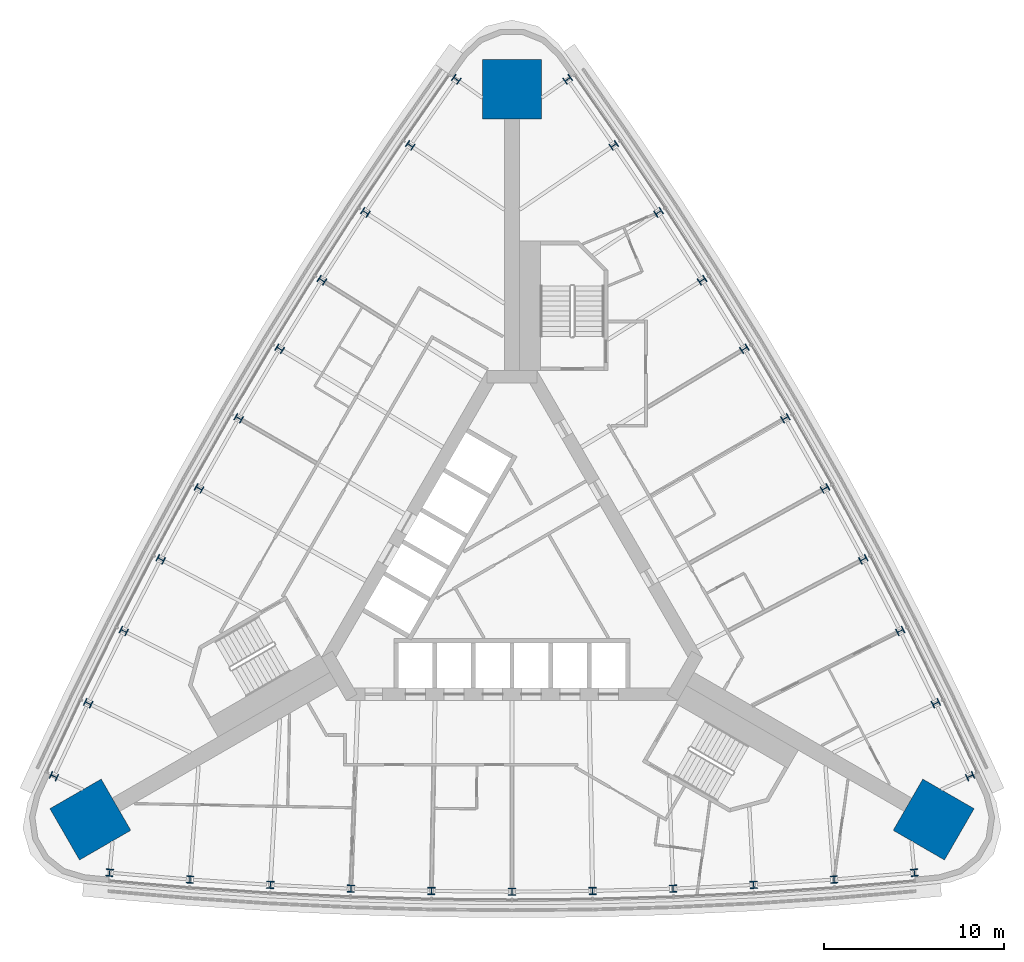
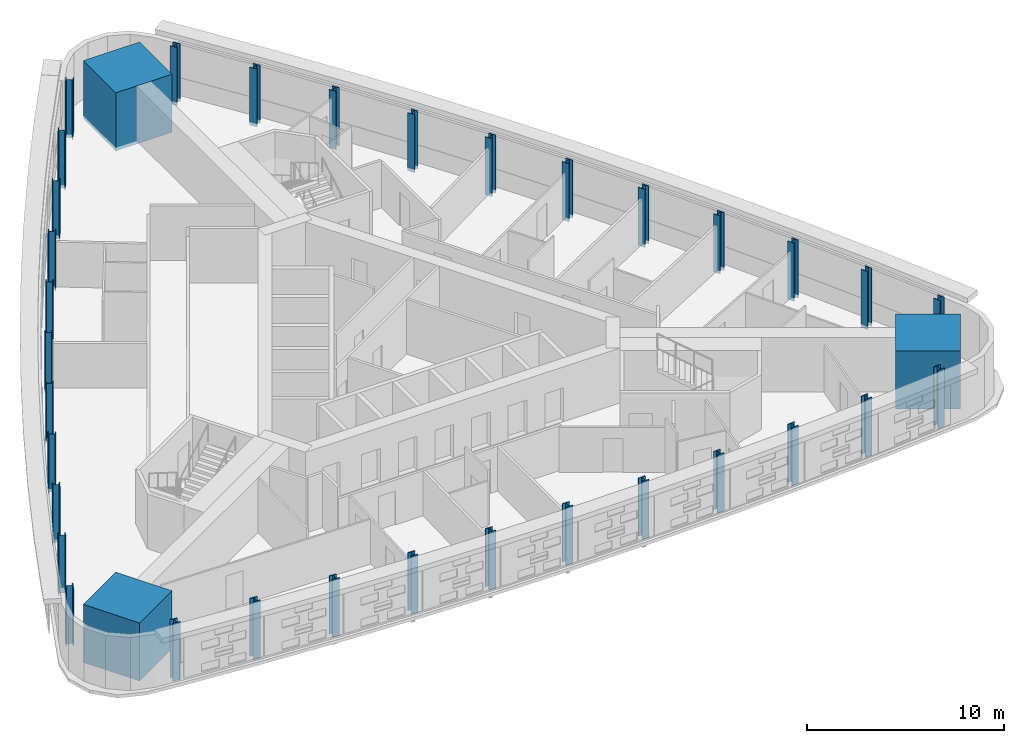
# One storey, part 1 of 15: 36 columns.
"""IFC4 building model written with IfcOpenShell, lengths in metres."""

from ifc_helpers import new_model, si_unit, direction, frame, origin, origin_2d, place, context, subcontext, project, spatial, rectangle, i_section, extrude, material, material_profile, profile_set, type_object, element, save


model = new_model("IFC4")

# Units and contexts
model_context = context("Model", 3, precision=1e-05, world=origin(), true_north=direction((0.0, 1.0)))
body_context = subcontext(model_context, "Body", "Model", "MODEL_VIEW")
ifc_project = project(units=[si_unit("LENGTHUNIT", "METRE"), si_unit("AREAUNIT", "SQUARE_METRE"), si_unit("VOLUMEUNIT", "CUBIC_METRE"), si_unit("PLANEANGLEUNIT", "RADIAN"), si_unit("MASSUNIT", "GRAM", prefix="KILO")], contexts=[model_context])

# Site, building, storey
site_placement = place(None, origin())
site = spatial("IfcSite", under=ifc_project, at=site_placement, CompositionType="ELEMENT")
building_placement = place(site_placement, origin())
building = spatial("IfcBuilding", under=site, at=building_placement, Name="Noor Cloister Tower", CompositionType="ELEMENT")
storey_placement = place(building_placement, frame((0.0, 0.0, 45.60009765625)))
storey = spatial("IfcBuildingStorey", under=building, at=storey_placement, Name="L11", CompositionType="ELEMENT", Elevation=45.60009765625)

# Columns
ifc_material_1 = material(Name="Steel ASTM A992 Gr 50", Category="steel")
ifc_material_profile_1 = material_profile(ifc_material_1, i_section(OverallWidth=0.404052734375, OverallDepth=0.406005859375, WebThickness=0.027099609375, FlangeThickness=0.043701171875, FilletRadius=0.01513671875, at=origin_2d()), Name="W360x347")
ifc_profile_set_1 = profile_set([ifc_material_profile_1], Name="Steel ASTM A992 Gr 50")
column_type_1 = type_object("IfcColumnType", Name="Column W360x347", PredefinedType="COLUMN", material=ifc_profile_set_1)
for number, where, z_axis, x_axis, name in (
    (1, (-3.099853515625, 27.671875, -0.2001953125), (0.0, 0.0, 1.0), (-0.57955151412, -0.81493560634, 0.0), "Column NW 01 L11"),
    (2, (-5.6669921875, 23.988525390625, -0.2001953125), (0.0, 0.0, 1.0), (-0.564033515251, -0.825751895955, 0.0), "Column NW 02 L11"),
    (3, (-8.1640625, 20.257568359375, -0.2001953125), (0.0, 0.0, 1.0), (-0.548313704944, -0.836272731213, 0.0), "Column NW 03 L11"),
    (4, (-10.590087890625, 16.47998046875, -0.2001953125), (0.0, 0.0, 1.0), (-0.532397707783, -0.846494347735, 0.0), "Column NW 04 L11"),
    (5, (-12.9443359375, 12.6572265625, -0.2001953125), (0.0, 0.0, 1.0), (-0.516291218489, -0.856413088241, 0.0), "Column NW 05 L11"),
    (6, (-15.225830078125, 8.79052734375, -0.2001953125), (0.0, 0.0, 1.0), (-0.5, -0.866025403784, 0.0), "Column NW 06 L11"),
    (7, (-17.43359375, 4.881591796875, -0.2001953125), (0.0, 0.0, 1.0), (-0.483529881306, -0.875327855083, 0.0), "Column NW 07 L11"),
    (8, (-19.567138671875, 0.931396484375, -0.2001953125), (0.0, 0.0, 1.0), (-0.466886755407, -0.884317113724, 0.0), "Column NW 08 L11"),
    (9, (-21.625732421875, -3.05859375, -0.2001953125), (0.0, 0.0, 1.0), (-0.450076577251, -0.892989963331, 0.0), "Column NW 09 L11"),
    (10, (-23.608154296875, -7.08642578125, -0.2001953125), (0.0, 0.0, 1.0), (-0.433105361495, -0.901343300771, 0.0), "Column NW 10 L11"),
    (11, (-25.514404296875, -11.1513671875, -0.2001953125), (0.0, 0.0, 1.0), (-0.415979180479, -0.9093741372, 0.0), "Column NW 11 L11"),
    (12, (-22.41455078125, -16.5205078125, -0.2001953125), (0.0, 0.0, 1.0), (0.995530694599, -0.09443853086, 0.0), "Column S 01 L11"),
    (13, (-17.941162109375, -16.902099609375, -0.2001953125), (0.0, 0.0, 1.0), (0.997138876746, -0.075591404816, 0.0), "Column S 02 L11"),
    (14, (-13.461669921875, -17.19921875, -0.2001953125), (0.0, 0.0, 1.0), (0.998390282195, -0.056717232118, 0.0), "Column S 03 L11"),
    (15, (-8.97705078125, -17.411376953125, -0.2001953125), (0.0, 0.0, 1.0), (0.99928446319, -0.037822765989, 0.0), "Column S 04 L11"),
    (16, (-4.4892578125, -17.538818359375, -0.2001953125), (0.0, 0.0, 1.0), (0.999821099795, -0.018914766842, 0.0), "Column S 05 L11"),
    (17, (0.0, -17.5810546875, -0.2001953125), (0.0, 0.0, 1.0), (1.0, 0.0, 0.0), "Column S 06 L11"),
    (18, (4.4892578125, -17.538818359375, -0.2001953125), (0.0, 0.0, 1.0), (0.999821099795, 0.018914766842, 0.0), "Column S 07 L11"),
    (19, (8.97705078125, -17.411376953125, -0.2001953125), (0.0, 0.0, 1.0), (0.99928446319, 0.037822765989, 0.0), "Column S 08 L11"),
    (20, (13.461669921875, -17.19921875, -0.2001953125), (0.0, 0.0, 1.0), (0.998390282195, 0.056717232118, 0.0), "Column S 09 L11"),
    (21, (17.941162109375, -16.902099609375, -0.2001953125), (0.0, 0.0, 1.0), (0.997138876746, 0.075591404816, 0.0), "Column S 10 L11"),
    (22, (22.41455078125, -16.5205078125, -0.2001953125), (0.0, 0.0, 1.0), (0.995530694599, 0.09443853086, 0.0), "Column S 11 L11"),
    (23, (25.514404296875, -11.1513671875, -0.2001953125), (0.0, 0.0, 1.0), (-0.415979180479, 0.9093741372, 0.0), "Column NE 01 L11"),
    (24, (23.608154296875, -7.08642578125, -0.2001953125), (0.0, 0.0, 1.0), (-0.433105361495, 0.901343300771, 0.0), "Column NE 02 L11"),
    (25, (21.625732421875, -3.05859375, -0.2001953125), (0.0, 0.0, 1.0), (-0.450076577251, 0.892989963331, 0.0), "Column NE 03 L11"),
    (26, (19.567138671875, 0.931396484375, -0.2001953125), (0.0, 0.0, 1.0), (-0.466886755407, 0.884317113724, 0.0), "Column NE 04 L11"),
    (27, (17.43359375, 4.881591796875, -0.2001953125), (0.0, 0.0, 1.0), (-0.483529881306, 0.875327855083, 0.0), "Column NE 05 L11"),
    (28, (15.225830078125, 8.79052734375, -0.2001953125), (0.0, 0.0, 1.0), (-0.5, 0.866025403784, 0.0), "Column NE 06 L11"),
    (29, (12.9443359375, 12.6572265625, -0.2001953125), (0.0, 0.0, 1.0), (-0.516291218489, 0.856413088241, 0.0), "Column NE 07 L11"),
    (30, (10.590087890625, 16.47998046875, -0.2001953125), (0.0, 0.0, 1.0), (-0.532397707783, 0.846494347735, 0.0), "Column NE 08 L11"),
    (31, (8.1640625, 20.257568359375, -0.2001953125), (0.0, 0.0, 1.0), (-0.548313704944, 0.836272731213, 0.0), "Column NE 09 L11"),
    (32, (5.6669921875, 23.988525390625, -0.2001953125), (0.0, 0.0, 1.0), (-0.564033515251, 0.825751895955, 0.0), "Column NE 10 L11"),
    (33, (3.099853515625, 27.671875, -0.2001953125), (0.0, 0.0, 1.0), (-0.57955151412, 0.81493560634, 0.0), "Column NE 11 L11"),
):
    element("IfcColumn", number, at=place(storey_placement, frame(where, z_axis=z_axis, x_axis=x_axis)), inside=storey, type_object=column_type_1, Name=name, PredefinedType="COLUMN", context=body_context, shape_type="SweptSolid", body=[
        extrude(i_section(OverallWidth=0.404052734375, OverallDepth=0.406005859375, WebThickness=0.027099609375, FlangeThickness=0.043701171875, FilletRadius=0.01513671875, at=origin_2d()), origin(), (0.0, 0.0, 1.0), 3.60009765625),
    ])
ifc_material_2 = material(Name="Concrete C80/95", Category="concrete")
ifc_material_profile_2 = material_profile(ifc_material_2, rectangle(XDim=3.300048828125, YDim=3.300048828125, at=origin_2d()), Name="RC 3300x3300")
ifc_profile_set_2 = profile_set([ifc_material_profile_2], Name="Concrete C80/95")
column_type_2 = type_object("IfcColumnType", Name="Corner pier 3300 x 3300 C80/95", PredefinedType="COLUMN", material=ifc_profile_set_2)
for number, where, z_axis, x_axis, name in (
    (34, (0.0, 27.1201171875, -0.2001953125), (0.0, 0.0, 1.0), (0.0, 1.0, 0.0), "Corner pier N L11"),
    (35, (-23.486572265625, -13.56005859375, -0.2001953125), (0.0, 0.0, 1.0), (-0.866025403784, -0.5, 0.0), "Corner pier SW L11"),
    (36, (23.486572265625, -13.56005859375, -0.2001953125), (0.0, 0.0, 1.0), (0.866025403784, -0.5, 0.0), "Corner pier SE L11"),
):
    element("IfcColumn", number, at=place(storey_placement, frame(where, z_axis=z_axis, x_axis=x_axis)), inside=storey, type_object=column_type_2, Name=name, PredefinedType="COLUMN", context=body_context, shape_type="SweptSolid", body=[
        extrude(rectangle(XDim=3.300048828125, YDim=3.300048828125, at=origin_2d()), origin(), (0.0, 0.0, 1.0), 3.60009765625),
    ])

save(model, "model.ifc")
